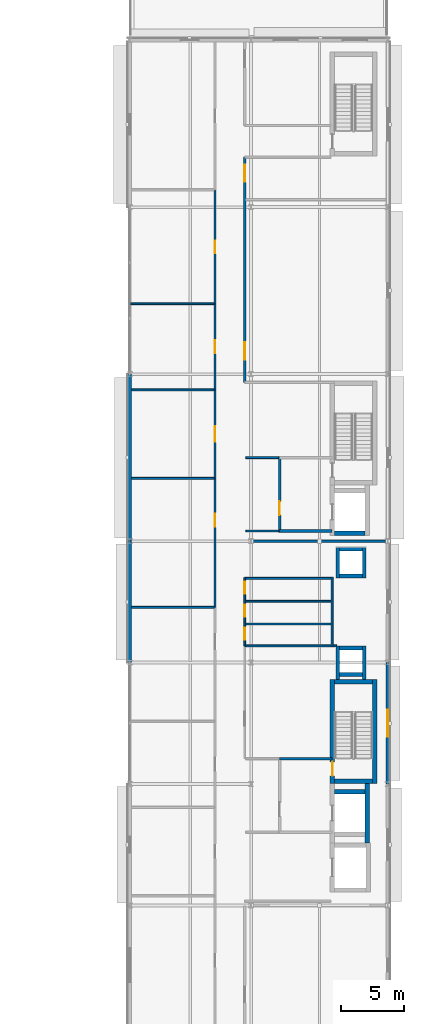
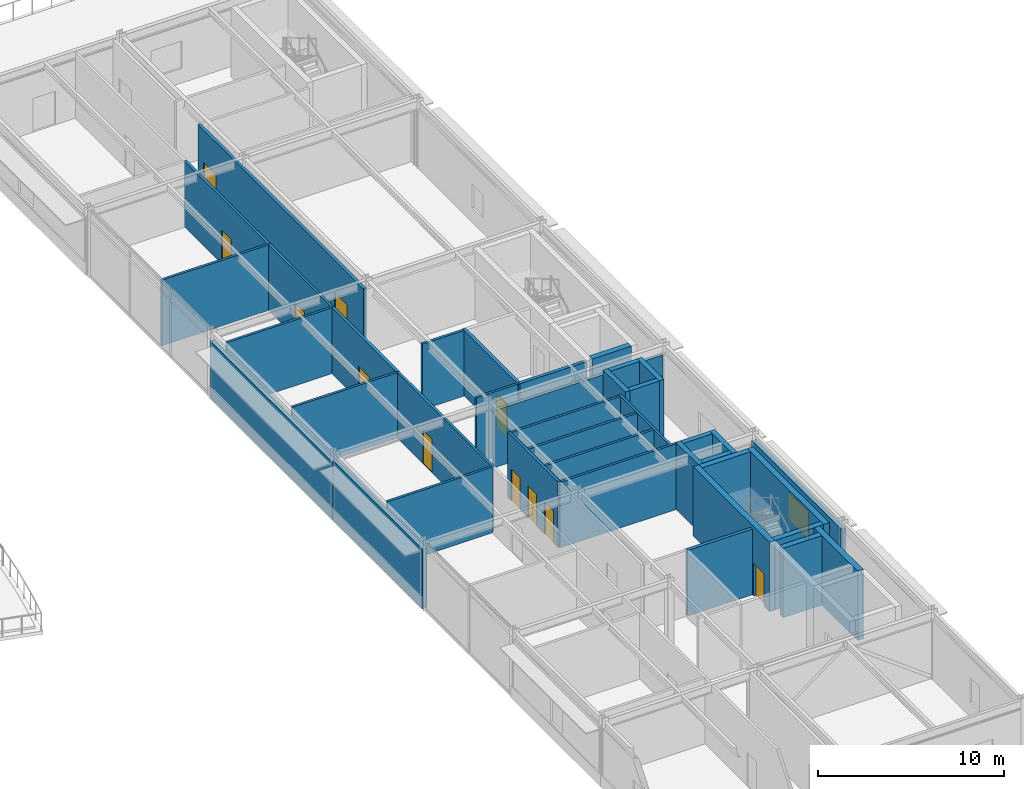
# One storey, part 67 of 89: 39 walls, 11 doors, 1 window, 12 openings.
"""IFC4 building model written with IfcOpenShell, lengths in metres."""

import ifcopenshell
import ifcopenshell.guid

model = None  # the IFC model being written
_history = None  # IfcOwnerHistory: only IFC2X3 demands one
_inside = {}  # id of a spatial element -> (the spatial element, [elements in it])
_under = {}  # id of a project, library or spatial element -> (it, [spatial elements below it])
_declared = {}  # id of a project -> (the project, [libraries it declares])
_typed = {}  # id of a type object -> (the type object, [elements of that type])
_made_of = {}  # id of a material, layer set ... -> (it, [elements and type objects made of it])


def new_model(schema):
    """Start an empty IFC model of exactly this schema.

    Asked for "IFC4X3", IfcOpenShell would pick the latest addendum, in which some entities
    have other attributes; the version numbers below select the first issue.
    IFC2X3 requires an IfcOwnerHistory on every rooted entity: one is made here for all.
    """
    global model, _history
    if schema == "IFC4X3":
        model = ifcopenshell.file(schema_version=(4, 3, 0, 0))
    else:
        model = ifcopenshell.file(schema=schema)
    _inside.clear()
    _under.clear()
    _declared.clear()
    _typed.clear()
    _made_of.clear()
    _history = None
    if model.schema == "IFC2X3":
        org = make("IfcOrganization", Name="unknown")
        user = make(
            "IfcPersonAndOrganization",
            ThePerson=make("IfcPerson", FamilyName="unknown"),
            TheOrganization=org,
        )
        app = make(
            "IfcApplication",
            ApplicationDeveloper=org,
            Version="unknown",
            ApplicationFullName="unknown",
            ApplicationIdentifier="unknown",
        )
        _history = make(
            "IfcOwnerHistory",
            OwningUser=user,
            OwningApplication=app,
            ChangeAction="ADDED",
            CreationDate=0,
        )
    return model


def make(cls, **values):
    """One entity of the class cls with the attributes given. An attribute that is None is left unset."""
    return model.create_entity(
        cls, **{name: value for name, value in values.items() if value is not None}
    )


def rooted(cls, **values):
    """An entity with a GlobalId (a new one), such as an element, a storey or a relation."""
    return make(cls, GlobalId=ifcopenshell.guid.new(), OwnerHistory=_history, **values)


def si_unit(unit_type, name, prefix=None):
    """IfcSIUnit, for example si_unit("LENGTHUNIT", "METRE", prefix="MILLI")."""
    return make("IfcSIUnit", UnitType=unit_type, Prefix=prefix, Name=name)


def assignment(units):
    """IfcUnitAssignment: the units of a project."""
    return None if units is None else make("IfcUnitAssignment", Units=units)


def point(xyz):
    """IfcCartesianPoint."""
    return None if xyz is None else make("IfcCartesianPoint", Coordinates=xyz)


def direction(xyz):
    """IfcDirection."""
    return None if xyz is None else make("IfcDirection", DirectionRatios=xyz)


def frame(location, z_axis=None, x_axis=None):
    """IfcAxis2Placement3D, a coordinate frame: its origin and axes. An axis left out is left unset."""
    return make(
        "IfcAxis2Placement3D",
        Location=point(location),
        Axis=direction(z_axis),
        RefDirection=direction(x_axis),
    )


def frame_2d(location, x_axis=None):
    """IfcAxis2Placement2D, a coordinate frame in the plane: its origin and x axis."""
    return make(
        "IfcAxis2Placement2D", Location=point(location), RefDirection=direction(x_axis)
    )


def origin():
    """The frame at (0, 0, 0) with its axes left unset."""
    return frame((0.0, 0.0, 0.0))


def place(relative_to, where):
    """IfcLocalPlacement: puts the frame where relative to a parent placement (None: the world)."""
    return make(
        "IfcLocalPlacement", PlacementRelTo=relative_to, RelativePlacement=where
    )


def context(
    kind, dimensions, precision=None, world=None, true_north=None, identifier=None
):
    """IfcGeometricRepresentationContext, for example the 3D "Model" context."""
    return make(
        "IfcGeometricRepresentationContext",
        ContextIdentifier=identifier,
        ContextType=kind,
        CoordinateSpaceDimension=dimensions,
        Precision=precision,
        WorldCoordinateSystem=world,
        TrueNorth=true_north,
    )


def subcontext(parent, identifier, kind, view, scale=None):
    """IfcGeometricRepresentationSubContext, for example "Body" below "Model"."""
    return make(
        "IfcGeometricRepresentationSubContext",
        ContextIdentifier=identifier,
        ContextType=kind,
        ParentContext=parent,
        TargetScale=scale,
        TargetView=view,
    )


def project(units=None, contexts=None):
    """IfcProject with its units and contexts."""
    return rooted(
        "IfcProject",
        Name="project",
        RepresentationContexts=contexts,
        UnitsInContext=assignment(units),
    )


def spatial(cls, under=None, at=None, **own):
    """A site, building, storey or space (cls), placed at a placement, below another one or the project."""
    s = rooted(cls, ObjectPlacement=at, **own)
    if under is not None:
        _under.setdefault(under.id(), (under, []))[1].append(s)
    return s


def profile(cls, at=None, kind="AREA", **sizes):
    """A parametric profile (cls). Its sizes go by their IFC names, for example OverallWidth=200.0."""
    return make(cls, ProfileType=kind, Position=at, **sizes)


def rectangle(**sizes):
    """IfcRectangleProfileDef."""
    return profile("IfcRectangleProfileDef", **sizes)


def extrude(swept, where, along, depth):
    """IfcExtrudedAreaSolid: the profile swept, set in the frame where, extruded along a direction by depth."""
    return make(
        "IfcExtrudedAreaSolid",
        SweptArea=swept,
        Position=where,
        ExtrudedDirection=direction(along),
        Depth=depth,
    )


def shape(context_of_items, identifier, shape_type, items):
    """IfcShapeRepresentation: the items that make up one representation, for example the "Body"."""
    return make(
        "IfcShapeRepresentation",
        ContextOfItems=context_of_items,
        RepresentationIdentifier=identifier,
        RepresentationType=shape_type,
        Items=items,
    )


def material(Name=None, Category=None):
    """IfcMaterial."""
    return make("IfcMaterial", Name=Name, Category=Category)


def layer(
    of_material, thickness, ventilated=None, Name=None, Category=None, Priority=None
):
    """IfcMaterialLayer: one layer of a wall or slab, of a material (None: an air gap)."""
    return make(
        "IfcMaterialLayer",
        Material=of_material,
        LayerThickness=thickness,
        IsVentilated=ventilated,
        Name=Name,
        Category=Category,
        Priority=Priority,
    )


def layer_set(layers, Name=None):
    """IfcMaterialLayerSet."""
    return make("IfcMaterialLayerSet", MaterialLayers=layers, LayerSetName=Name)


def made_of(thing, what):
    """Note that an element or type object is made of a material, layer set ...; save() writes the relation."""
    if what is not None:
        _made_of.setdefault(what.id(), (what, []))[1].append(thing)
    return thing


def type_object(cls, material=None, **own):
    """A type object (cls), such as IfcWallType, which elements share."""
    return made_of(rooted(cls, **own), material)


def element(
    cls,
    number,
    at=None,
    inside=None,
    cuts=None,
    type_object=None,
    material=None,
    context=None,
    identifier="Body",
    shape_type=None,
    held_by="IfcProductDefinitionShape",
    body=None,
    shapes=None,
    **own,
):
    """One element of the class cls, such as IfcWall. Its Tag is "e" and its number.

    at: its placement. inside: the storey or other place that contains it. cuts: it is an
    opening in that element (IfcRelVoidsElement). A single representation is given by context,
    identifier, shape_type and body (its items); several are given by shapes. held_by: the class
    of the entity that holds the representations. save() writes the other relations.
    """
    e = rooted(cls, Tag="e%d" % number, ObjectPlacement=at, **own)
    if body is not None:
        shapes = [shape(context, identifier, shape_type, body)]
    if shapes is not None:
        e.Representation = make(held_by, Representations=shapes)
    if inside is not None:
        _inside.setdefault(inside.id(), (inside, []))[1].append(e)
    if cuts is not None:
        rooted(
            "IfcRelVoidsElement", RelatingBuildingElement=cuts, RelatedOpeningElement=e
        )
    if type_object is not None:
        _typed.setdefault(type_object.id(), (type_object, []))[1].append(e)
    return made_of(e, material)


def fill(opening, filler):
    """IfcRelFillsElement: the door or window that sits in an opening."""
    return rooted(
        "IfcRelFillsElement",
        RelatingOpeningElement=opening,
        RelatedBuildingElement=filler,
    )


def aggregate(whole, parts):
    """IfcRelAggregates: a whole, such as a stair, and the parts it consists of."""
    return rooted("IfcRelAggregates", RelatingObject=whole, RelatedObjects=parts)


def save(model, path):
    """Write the relations noted so far, then the file.

    IfcRelAggregates (storeys below a building ...), IfcRelContainedInSpatialStructure (elements
    in a storey), IfcRelDefinesByType, IfcRelAssociatesMaterial and IfcRelDeclares: one each for
    every whole, place, type object, material and project.
    """
    for whole, parts in _under.values():
        aggregate(whole, parts)
    for where, things in _inside.values():
        rooted(
            "IfcRelContainedInSpatialStructure",
            RelatedElements=things,
            RelatingStructure=where,
        )
    for kind, things in _typed.values():
        rooted("IfcRelDefinesByType", RelatedObjects=things, RelatingType=kind)
    for what, things in _made_of.values():
        rooted("IfcRelAssociatesMaterial", RelatedObjects=things, RelatingMaterial=what)
    for by, libraries in _declared.values():
        rooted("IfcRelDeclares", RelatingContext=by, RelatedDefinitions=libraries)
    model.write(path)


model = new_model("IFC4")

# Units and contexts
model_context = context("Model", 3, precision=1e-05, world=origin(), true_north=direction((0.0, 1.0)))
body_context = subcontext(model_context, "Body", "Model", "MODEL_VIEW")
ifc_project = project(units=[si_unit("LENGTHUNIT", "METRE"), si_unit("AREAUNIT", "SQUARE_METRE"), si_unit("VOLUMEUNIT", "CUBIC_METRE"), si_unit("PLANEANGLEUNIT", "RADIAN"), si_unit("MASSUNIT", "GRAM", prefix="KILO")], contexts=[model_context])

# Site, building, storey
site_placement = place(None, origin())
site = spatial("IfcSite", under=ifc_project, at=site_placement, CompositionType="ELEMENT")
building_placement = place(site_placement, origin())
building = spatial("IfcBuilding", under=site, at=building_placement, Name="Almandine Court Research Institute", CompositionType="ELEMENT")
storey_placement = place(building_placement, frame((0.0, 0.0, 18.89990234375)))
storey = spatial("IfcBuildingStorey", under=building, at=storey_placement, Name="L04", CompositionType="ELEMENT", Elevation=18.89990234375)

# Walls
ifc_material_1 = material(Name="Insulated Ochre Terracotta Rainscreen Wall", Category="masonry")
ifc_layer_1 = layer(ifc_material_1, 0.2900390625)
ifc_layer_set_1 = layer_set([ifc_layer_1], Name="Insulated Ochre Terracotta Rainscreen Wall")
wall_type_1 = type_object("IfcWallType", Name="Wall-EXT-TERR-290", PredefinedType="SOLIDWALL", material=ifc_layer_set_1)
wall_1_placement = place(storey_placement, frame((153.60009765625, 34.803955078125, 0.0), z_axis=(0.0, 0.0, 1.0), x_axis=(0.0, 1.0, 0.0)))
element("IfcWall", 1, at=wall_1_placement, inside=storey, type_object=wall_type_1, Name="L04 Wet Lab West Facade Wall 4", PredefinedType="SOLIDWALL", context=body_context, shape_type="SweptSolid", body=[
    extrude(rectangle(XDim=9.592041015625, YDim=0.2900390625, at=frame_2d((4.7958984375, 0.0))), origin(), (0.0, 0.0, 1.0), 3.89306640625),
])
wall_2_placement = place(storey_placement, frame((153.60009765625, 44.404052734375, 0.0), z_axis=(0.0, 0.0, 1.0), x_axis=(0.0, 1.0, 0.0)))
element("IfcWall", 2, at=wall_2_placement, inside=storey, type_object=wall_type_1, Name="L04 Wet Lab West Facade Wall 5", PredefinedType="SOLIDWALL", context=body_context, shape_type="SweptSolid", body=[
    extrude(rectangle(XDim=13.19189453125, YDim=0.2900390625, at=frame_2d((6.595947265625, 0.0))), origin(), (0.0, 0.0, 1.0), 3.7421875),
])

# Wall, opening, window
wall_3_placement = place(storey_placement, frame((174.0, 34.7958984375, 0.0), z_axis=(0.0, 0.0, 1.0), x_axis=(0.0, -1.0, 0.0)))
wall_3 = element("IfcWall", 3, at=wall_3_placement, inside=storey, type_object=wall_type_1, Name="L04 Wet Lab East Facade Wall 3", PredefinedType="SOLIDWALL", context=body_context, shape_type="SweptSolid", body=[
    extrude(rectangle(XDim=9.591796875, YDim=0.2900390625, at=frame_2d((4.7958984375, 0.0))), origin(), (0.0, 0.0, 1.0), 3.884033203125),
])
opening_1_placement = place(wall_3_placement, frame((3.720947265625, 0.0, 0.949951171875)))
opening_1 = element("IfcOpeningElement", 4, at=opening_1_placement, cuts=wall_3, Name="Opening WN-10", PredefinedType="OPENING", context=body_context, shape_type="SweptSolid", body=[
    extrude(rectangle(XDim=2.14990234375, YDim=1.800048828125, at=frame_2d((1.074951171875, 0.89990234375))), frame((0.0, 0.155029296875, 0.0), z_axis=(0.0, -1.0, 0.0), x_axis=(1.0, 0.0, 0.0)), (0.0, 0.0, 1.0), 0.31005859375),
])
ifc_material_2 = material(Name="Thermally Broken Low-E Double-Glazed Window", Category="glass")
window_type = type_object("IfcWindowType", Name="Win-WN-10-2150x1800", PartitioningType="SINGLE_PANEL", PredefinedType="WINDOW", material=ifc_material_2)
window_placement = place(opening_1_placement, origin())
window = element("IfcWindow", 5, at=window_placement, inside=storey, type_object=window_type, Name="L04 Modular Recessed Low-E Window 140", OverallHeight=1.800048828125, OverallWidth=2.14990234375, PartitioningType="SINGLE_PANEL", PredefinedType="WINDOW", context=body_context, shape_type="SweptSolid", body=[
    extrude(rectangle(XDim=2.14990234375, YDim=1.800048828125, at=frame_2d((1.074951171875, 0.89990234375))), frame((0.0, 0.030029296875, 0.0), z_axis=(0.0, -1.0, 0.0), x_axis=(1.0, 0.0, 0.0)), (0.0, 0.0, 1.0), 0.06005859375),
])
fill(opening_1, window)

# Wall, opening, door
ifc_material_3 = material(Name="One-Hour Fire-Rated Laboratory Partition")
ifc_layer_2 = layer(ifc_material_3, 0.175048828125)
ifc_layer_set_2 = layer_set([ifc_layer_2], Name="One-Hour Fire-Rated Laboratory Partition")
wall_type_2 = type_object("IfcWallType", Name="Wall-FIRE-175", PredefinedType="PARTITIONING", material=ifc_layer_set_2)
wall_4_placement = place(storey_placement, frame((160.35009765625, 49.360107421875, 0.0), z_axis=(0.0, 0.0, 1.0), x_axis=(0.0, 1.0, 0.0)))
wall_4 = element("IfcWall", 6, at=wall_4_placement, inside=storey, type_object=wall_type_2, Name="L04 Interior Partition W-V4-L04-WW-5", PredefinedType="PARTITIONING", context=body_context, shape_type="SweptSolid", body=[
    extrude(rectangle(XDim=7.0, YDim=0.175048828125, at=frame_2d((3.5, 0.0))), origin(), (0.0, 0.0, 1.0), 4.300048828125),
])
opening_2_placement = place(wall_4_placement, frame((2.89990234375, 0.0, 0.0)))
opening_2 = element("IfcOpeningElement", 7, at=opening_2_placement, cuts=wall_4, Name="Opening FD-LAB", PredefinedType="OPENING", context=body_context, shape_type="SweptSolid", body=[
    extrude(rectangle(XDim=1.199951171875, YDim=2.199951171875, at=frame_2d((0.60009765625, 1.10009765625))), frame((0.0, 0.097412109375, 0.0), z_axis=(0.0, -1.0, 0.0), x_axis=(1.0, 0.0, 0.0)), (0.0, 0.0, 1.0), 0.195068359375),
])
ifc_material_4 = material(Name="Fire-Rated Laboratory Containment Door")
door_type_1 = type_object("IfcDoorType", Name="Door-FD-LAB-1200", OperationType="NOTDEFINED", PredefinedType="DOOR", material=ifc_material_4)
door_1_placement = place(opening_2_placement, origin())
door_1 = element("IfcDoor", 8, at=door_1_placement, inside=storey, type_object=door_type_1, Name="L04 Biosciences BSL-2 Laboratory Door", OperationType="SINGLE_SWING_LEFT", OverallHeight=2.199951171875, OverallWidth=1.199951171875, PredefinedType="DOOR", context=body_context, shape_type="SweptSolid", body=[
    extrude(rectangle(XDim=1.199951171875, YDim=2.199951171875, at=frame_2d((0.60009765625, 1.10009765625))), frame((0.0, 0.02490234375, 0.0), z_axis=(0.0, -1.0, 0.0), x_axis=(1.0, 0.0, 0.0)), (0.0, 0.0, 1.0), 0.050048828125),
])
fill(opening_2, door_1)

# Wall, openings, doors
wall_5_placement = place(storey_placement, frame((162.699951171875, 56.949951171875, 0.0), z_axis=(0.0, 0.0, 1.0), x_axis=(0.0, 1.0, 0.0)))
wall_5 = element("IfcWall", 9, at=wall_5_placement, inside=storey, type_object=wall_type_2, Name="L04 Interior Partition W-V4-L04-EW-N1", PredefinedType="PARTITIONING", context=body_context, shape_type="SweptSolid", body=[
    extrude(rectangle(XDim=17.800048828125, YDim=0.175048828125, at=frame_2d((8.89990234375, 0.0))), origin(), (0.0, 0.0, 1.0), 4.300048828125),
])
opening_3_placement = place(wall_5_placement, frame((1.800048828125, 0.0, 0.0)))
opening_3 = element("IfcOpeningElement", 10, at=opening_3_placement, cuts=wall_5, Name="Opening FD-LB2", PredefinedType="OPENING", context=body_context, shape_type="SweptSolid", body=[
    extrude(rectangle(XDim=1.35009765625, YDim=2.199951171875, at=frame_2d((0.675048828125, 1.10009765625))), frame((0.0, 0.097412109375, 0.0), z_axis=(0.0, -1.0, 0.0), x_axis=(1.0, 0.0, 0.0)), (0.0, 0.0, 1.0), 0.195068359375),
])
opening_4_placement = place(wall_5_placement, frame((15.844970703125, 0.0, 0.0)))
opening_4 = element("IfcOpeningElement", 11, at=opening_4_placement, cuts=wall_5, Name="Opening FD-LB2", PredefinedType="OPENING", context=body_context, shape_type="SweptSolid", body=[
    extrude(rectangle(XDim=1.35009765625, YDim=2.199951171875, at=frame_2d((0.675048828125, 1.10009765625))), frame((0.0, 0.097412109375, 0.0), z_axis=(0.0, -1.0, 0.0), x_axis=(1.0, 0.0, 0.0)), (0.0, 0.0, 1.0), 0.195068359375),
])
ifc_material_5 = material(Name="Wide Fire-Rated Cleanroom and Lab Door")
door_type_2 = type_object("IfcDoorType", Name="Door-FD-LAB-1350", OperationType="NOTDEFINED", PredefinedType="DOOR", material=ifc_material_5)
door_2_placement = place(opening_3_placement, origin())
door_2 = element("IfcDoor", 12, at=door_2_placement, inside=storey, type_object=door_type_2, Name="L04 East Wet Chemistry Lab Door", OperationType="SINGLE_SWING_LEFT", OverallHeight=2.199951171875, OverallWidth=1.35009765625, PredefinedType="DOOR", context=body_context, shape_type="SweptSolid", body=[
    extrude(rectangle(XDim=1.35009765625, YDim=2.199951171875, at=frame_2d((0.675048828125, 1.10009765625))), frame((0.0, 0.02490234375, 0.0), z_axis=(0.0, -1.0, 0.0), x_axis=(1.0, 0.0, 0.0)), (0.0, 0.0, 1.0), 0.050048828125),
])
fill(opening_3, door_2)
door_3_placement = place(opening_4_placement, origin())
door_3 = element("IfcDoor", 13, at=door_3_placement, inside=storey, type_object=door_type_2, Name="L04 East BSL-2 Lab South Door", OperationType="SINGLE_SWING_RIGHT", OverallHeight=2.199951171875, OverallWidth=1.35009765625, PredefinedType="DOOR", context=body_context, shape_type="SweptSolid", body=[
    extrude(rectangle(XDim=1.35009765625, YDim=2.199951171875, at=frame_2d((0.675048828125, 1.10009765625))), frame((0.0, 0.02490234375, 0.0), z_axis=(0.0, -1.0, 0.0), x_axis=(1.0, 0.0, 0.0)), (0.0, 0.0, 1.0), 0.050048828125),
])
fill(opening_4, door_3)

# Walls
ifc_material_6 = material(Name="Two-Hour Fire-Barrier Enclosure Wall")
ifc_layer_3 = layer(ifc_material_6, 0.199951171875)
ifc_layer_set_3 = layer_set([ifc_layer_3], Name="Two-Hour Fire-Barrier Enclosure Wall")
wall_type_3 = type_object("IfcWallType", Name="Wall-FIRE-200", PredefinedType="SOLIDWALL", material=ifc_layer_set_3)
wall_6_placement = place(storey_placement, frame((163.360107421875, 44.39990234375, 0.0), z_axis=(0.0, 0.0, 1.0), x_axis=(1.0, 0.0, 0.0)))
element("IfcWall", 14, at=wall_6_placement, inside=storey, type_object=wall_type_3, Name="L04 Interior Partition W-BF-V4-BF2-L04", PredefinedType="SOLIDWALL", context=body_context, shape_type="SweptSolid", body=[
    extrude(rectangle(XDim=10.47998046875, YDim=0.199951171875, at=frame_2d((5.239990234375, 0.0))), origin(), (0.0, 0.0, 1.0), 3.739013671875),
])
wall_7_placement = place(storey_placement, frame((165.449951171875, 27.199951171875, 0.0), z_axis=(0.0, 0.0, 1.0), x_axis=(1.0, 0.0, 0.0)))
element("IfcWall", 15, at=wall_7_placement, inside=storey, type_object=wall_type_3, Name="L04 Interior Partition W-FFL1-L04-N", PredefinedType="SOLIDWALL", context=body_context, shape_type="SweptSolid", body=[
    extrude(rectangle(XDim=4.150146484375, YDim=0.199951171875, at=frame_2d((2.0751953125, 0.0))), origin(), (0.0, 0.0, 1.0), 4.300048828125),
])

# Wall, opening, door
wall_8_placement = place(storey_placement, frame((165.449951171875, 45.10009765625, 0.0), z_axis=(0.0, 0.0, 1.0), x_axis=(0.0, 1.0, 0.0)))
wall_8 = element("IfcWall", 16, at=wall_8_placement, inside=storey, type_object=wall_type_3, Name="L04 Interior Partition W-FFL2-L04-W", PredefinedType="SOLIDWALL", context=body_context, shape_type="SweptSolid", body=[
    extrude(rectangle(XDim=6.0, YDim=0.199951171875, at=frame_2d((3.0, 0.0))), origin(), (0.0, 0.0, 1.0), 4.300048828125),
])
opening_5_placement = place(wall_8_placement, frame((1.35009765625, 0.0, 0.0)))
opening_5 = element("IfcOpeningElement", 17, at=opening_5_placement, cuts=wall_8, Name="Opening FD-FFL", PredefinedType="OPENING", context=body_context, shape_type="SweptSolid", body=[
    extrude(rectangle(XDim=1.10009765625, YDim=2.14990234375, at=frame_2d((0.550048828125, 1.074951171875))), frame((0.0, 0.10986328125, 0.0), z_axis=(0.0, -1.0, 0.0), x_axis=(1.0, 0.0, 0.0)), (0.0, 0.0, 1.0), 0.219970703125),
])
ifc_material_7 = material(Name="Smoke-Tight Firefighting Lobby Fire Door")
door_type_3 = type_object("IfcDoorType", Name="Door-FD-FFL-1100", OperationType="NOTDEFINED", PredefinedType="DOOR", material=ifc_material_7)
door_4_placement = place(opening_5_placement, origin())
door_4 = element("IfcDoor", 18, at=door_4_placement, inside=storey, type_object=door_type_3, Name="L04 Firefighting Lobby Fire Door 2", OperationType="SINGLE_SWING_RIGHT", OverallHeight=2.14990234375, OverallWidth=1.10009765625, PredefinedType="DOOR", context=body_context, shape_type="SweptSolid", body=[
    extrude(rectangle(XDim=1.10009765625, YDim=2.14990234375, at=frame_2d((0.550048828125, 1.074951171875))), frame((0.0, 0.02490234375, 0.0), z_axis=(0.0, -1.0, 0.0), x_axis=(1.0, 0.0, 0.0)), (0.0, 0.0, 1.0), 0.050048828125),
])
fill(opening_5, door_4)

# Walls
wall_9_placement = place(storey_placement, frame((165.449951171875, 45.199951171875, 0.0), z_axis=(0.0, 0.0, 1.0), x_axis=(1.0, 0.0, 0.0)))
element("IfcWall", 19, at=wall_9_placement, inside=storey, type_object=wall_type_3, Name="L04 Interior Partition W-FFL2-L04-S", PredefinedType="SOLIDWALL", context=body_context, shape_type="SweptSolid", body=[
    extrude(rectangle(XDim=4.150146484375, YDim=0.199951171875, at=frame_2d((2.0751953125, 0.0))), origin(), (0.0, 0.0, 1.0), 4.300048828125),
])
ifc_material_8 = material(Name="Acoustic Steel-Stud Gypsum Partition Wall", Category="steel")
ifc_layer_4 = layer(ifc_material_8, 0.14990234375)
ifc_layer_set_4 = layer_set([ifc_layer_4], Name="Acoustic Steel-Stud Gypsum Partition Wall")
wall_type_4 = type_object("IfcWallType", Name="Wall-PART-150", PredefinedType="PARTITIONING", material=ifc_layer_set_4)
for number, where, z_axis, x_axis, name in (
    (20, (162.699951171875, 37.85009765625, 0.0), (0.0, 0.0, 1.0), (1.0, 0.0, 0.0), "L04 Interior Partition W-V4-L04-WCH-1"),
    (21, (162.699951171875, 39.64990234375, 0.0), (0.0, 0.0, 1.0), (1.0, 0.0, 0.0), "L04 Interior Partition W-V4-L04-WCH-2"),
    (22, (162.699951171875, 41.449951171875, 0.0), (0.0, 0.0, 1.0), (1.0, 0.0, 0.0), "L04 Interior Partition W-V4-L04-WCH-3"),
):
    element("IfcWall", number, at=place(storey_placement, frame(where, z_axis=z_axis, x_axis=x_axis)), inside=storey, type_object=wall_type_4, Name=name, PredefinedType="PARTITIONING", context=body_context, shape_type="SweptSolid", body=[
        extrude(rectangle(XDim=6.900146484375, YDim=0.14990234375, at=frame_2d((3.4501953125, 0.0))), origin(), (0.0, 0.0, 1.0), 4.300048828125),
    ])
wall_10_placement = place(storey_placement, frame((162.699951171875, 36.1201171875, 0.0), z_axis=(0.0, 0.0, 1.0), x_axis=(1.0, 0.0, 0.0)))
element("IfcWall", 23, at=wall_10_placement, inside=storey, type_object=wall_type_4, Name="L04 Interior Partition W-V4-L04-WCS", PredefinedType="PARTITIONING", context=body_context, shape_type="SweptSolid", body=[
    extrude(rectangle(XDim=7.25, YDim=0.14990234375, at=frame_2d((3.625, 0.0))), origin(), (0.0, 0.0, 1.0), 4.300048828125),
])
wall_11_placement = place(storey_placement, frame((169.60009765625, 36.050048828125, 0.0), z_axis=(0.0, 0.0, 1.0), x_axis=(0.0, 1.0, 0.0)))
element("IfcWall", 24, at=wall_11_placement, inside=storey, type_object=wall_type_4, Name="L04 Interior Partition W-V4-L04-WCEAST", PredefinedType="PARTITIONING", context=body_context, shape_type="SweptSolid", body=[
    extrude(rectangle(XDim=5.5, YDim=0.14990234375, at=frame_2d((2.75, 0.0))), origin(), (0.0, 0.0, 1.0), 4.300048828125),
])

# Wall, openings, doors
wall_12_placement = place(storey_placement, frame((162.699951171875, 36.1201171875, 0.0), z_axis=(0.0, 0.0, 1.0), x_axis=(0.0, 1.0, 0.0)))
wall_12 = element("IfcWall", 25, at=wall_12_placement, inside=storey, type_object=wall_type_4, Name="L04 Interior Partition W-V4-L04-WC-ALL", PredefinedType="PARTITIONING", context=body_context, shape_type="SweptSolid", body=[
    extrude(rectangle(XDim=5.39990234375, YDim=0.14990234375, at=frame_2d((2.699951171875, 0.0))), origin(), (0.0, 0.0, 1.0), 4.300048828125),
])
opening_6_placement = place(wall_12_placement, frame((0.47998046875, 0.0, 0.0)))
opening_6 = element("IfcOpeningElement", 26, at=opening_6_placement, cuts=wall_12, Name="Opening D-01", PredefinedType="OPENING", context=body_context, shape_type="SweptSolid", body=[
    extrude(rectangle(XDim=0.949951171875, YDim=2.10009765625, at=frame_2d((0.47509765625, 1.050048828125))), frame((0.0, 0.0849609375, 0.0), z_axis=(0.0, -1.0, 0.0), x_axis=(1.0, 0.0, 0.0)), (0.0, 0.0, 1.0), 0.169921875),
])
opening_7_placement = place(wall_12_placement, frame((2.300048828125, 0.0, 0.0)))
opening_7 = element("IfcOpeningElement", 27, at=opening_7_placement, cuts=wall_12, Name="Opening D-01", PredefinedType="OPENING", context=body_context, shape_type="SweptSolid", body=[
    extrude(rectangle(XDim=0.949951171875, YDim=2.10009765625, at=frame_2d((0.47509765625, 1.050048828125))), frame((0.0, 0.0849609375, 0.0), z_axis=(0.0, -1.0, 0.0), x_axis=(1.0, 0.0, 0.0)), (0.0, 0.0, 1.0), 0.169921875),
])
opening_8_placement = place(wall_12_placement, frame((4.10009765625, 0.0, 0.0)))
opening_8 = element("IfcOpeningElement", 28, at=opening_8_placement, cuts=wall_12, Name="Opening D-01", PredefinedType="OPENING", context=body_context, shape_type="SweptSolid", body=[
    extrude(rectangle(XDim=0.949951171875, YDim=2.10009765625, at=frame_2d((0.47509765625, 1.050048828125))), frame((0.0, 0.0849609375, 0.0), z_axis=(0.0, -1.0, 0.0), x_axis=(1.0, 0.0, 0.0)), (0.0, 0.0, 1.0), 0.169921875),
])
ifc_material_9 = material(Name="Solid-Core Timber Acoustic Room Door", Category="wood")
door_type_4 = type_object("IfcDoorType", Name="Door-INT-950", OperationType="NOTDEFINED", PredefinedType="DOOR", material=ifc_material_9)
door_5_placement = place(opening_6_placement, origin())
door_5 = element("IfcDoor", 29, at=door_5_placement, inside=storey, type_object=door_type_4, Name="L04 V4 Male Toilet Door", OperationType="SINGLE_SWING_LEFT", OverallHeight=2.10009765625, OverallWidth=0.949951171875, PredefinedType="DOOR", context=body_context, shape_type="SweptSolid", body=[
    extrude(rectangle(XDim=0.949951171875, YDim=2.10009765625, at=frame_2d((0.47509765625, 1.050048828125))), frame((0.0, 0.02490234375, 0.0), z_axis=(0.0, -1.0, 0.0), x_axis=(1.0, 0.0, 0.0)), (0.0, 0.0, 1.0), 0.050048828125),
])
fill(opening_6, door_5)
door_6_placement = place(opening_7_placement, origin())
door_6 = element("IfcDoor", 30, at=door_6_placement, inside=storey, type_object=door_type_4, Name="L04 V4 Female Toilet Door", OperationType="SINGLE_SWING_RIGHT", OverallHeight=2.10009765625, OverallWidth=0.949951171875, PredefinedType="DOOR", context=body_context, shape_type="SweptSolid", body=[
    extrude(rectangle(XDim=0.949951171875, YDim=2.10009765625, at=frame_2d((0.47509765625, 1.050048828125))), frame((0.0, 0.02490234375, 0.0), z_axis=(0.0, -1.0, 0.0), x_axis=(1.0, 0.0, 0.0)), (0.0, 0.0, 1.0), 0.050048828125),
])
fill(opening_7, door_6)
door_7_placement = place(opening_8_placement, origin())
door_7 = element("IfcDoor", 31, at=door_7_placement, inside=storey, type_object=door_type_4, Name="L04 V4 Accessible WC Door", OperationType="SINGLE_SWING_LEFT", OverallHeight=2.10009765625, OverallWidth=0.949951171875, PredefinedType="DOOR", context=body_context, shape_type="SweptSolid", body=[
    extrude(rectangle(XDim=0.949951171875, YDim=2.10009765625, at=frame_2d((0.47509765625, 1.050048828125))), frame((0.0, 0.02490234375, 0.0), z_axis=(0.0, -1.0, 0.0), x_axis=(1.0, 0.0, 0.0)), (0.0, 0.0, 1.0), 0.050048828125),
])
fill(opening_8, door_7)

# Wall
wall_13_placement = place(storey_placement, frame((153.760009765625, 39.159912109375, 0.0), z_axis=(0.0, 0.0, 1.0), x_axis=(1.0, 0.0, 0.0)))
element("IfcWall", 32, at=wall_13_placement, inside=storey, type_object=wall_type_4, Name="L04 Interior Partition W-V4-L04-WDIV-3", PredefinedType="PARTITIONING", context=body_context, shape_type="SweptSolid", body=[
    extrude(rectangle(XDim=6.510009765625, YDim=0.14990234375, at=frame_2d((3.2548828125, 0.0))), origin(), (0.0, 0.0, 1.0), 4.300048828125),
])

# Wall, opening, door
wall_14_placement = place(storey_placement, frame((160.35009765625, 39.159912109375, 0.0), z_axis=(0.0, 0.0, 1.0), x_axis=(0.0, 1.0, 0.0)))
wall_14 = element("IfcWall", 33, at=wall_14_placement, inside=storey, type_object=wall_type_4, Name="L04 Interior Partition W-V4-L04-WW-4", PredefinedType="PARTITIONING", context=body_context, shape_type="SweptSolid", body=[
    extrude(rectangle(XDim=10.2001953125, YDim=0.14990234375, at=frame_2d((5.10009765625, 0.0))), origin(), (0.0, 0.0, 1.0), 4.300048828125),
])
opening_9_placement = place(wall_14_placement, frame((6.389892578125, 0.0, 0.0)))
opening_9 = element("IfcOpeningElement", 34, at=opening_9_placement, cuts=wall_14, Name="Opening D-02", PredefinedType="OPENING", context=body_context, shape_type="SweptSolid", body=[
    extrude(rectangle(XDim=1.0, YDim=2.199951171875, at=frame_2d((0.5, 1.10009765625))), frame((0.0, 0.0849609375, 0.0), z_axis=(0.0, -1.0, 0.0), x_axis=(1.0, 0.0, 0.0)), (0.0, 0.0, 1.0), 0.169921875),
])
ifc_material_10 = material(Name="Solid-Core Timber Researcher Office Door", Category="wood")
door_type_5 = type_object("IfcDoorType", Name="Door-INT-1000", OperationType="NOTDEFINED", PredefinedType="DOOR", material=ifc_material_10)
door_8_placement = place(opening_9_placement, origin())
door_8 = element("IfcDoor", 35, at=door_8_placement, inside=storey, type_object=door_type_5, Name="L04 Faculty Study Door", OperationType="SINGLE_SWING_RIGHT", OverallHeight=2.199951171875, OverallWidth=1.0, PredefinedType="DOOR", context=body_context, shape_type="SweptSolid", body=[
    extrude(rectangle(XDim=1.0, YDim=2.199951171875, at=frame_2d((0.5, 1.10009765625))), frame((0.0, 0.02490234375, 0.0), z_axis=(0.0, -1.0, 0.0), x_axis=(1.0, 0.0, 0.0)), (0.0, 0.0, 1.0), 0.050048828125),
])
fill(opening_9, door_8)

# Walls
for number, where, z_axis, x_axis, name in (
    (36, (153.760009765625, 49.360107421875, 0.0), (0.0, 0.0, 1.0), (1.0, 0.0, 0.0), "L04 Interior Partition W-V4-L04-WDIV-4"),
    (37, (153.760009765625, 56.360107421875, 0.0), (0.0, 0.0, 1.0), (1.0, 0.0, 0.0), "L04 Interior Partition W-V4-L04-WDIV-5"),
):
    element("IfcWall", number, at=place(storey_placement, frame(where, z_axis=z_axis, x_axis=x_axis)), inside=storey, type_object=wall_type_4, Name=name, PredefinedType="PARTITIONING", context=body_context, shape_type="SweptSolid", body=[
        extrude(rectangle(XDim=6.510009765625, YDim=0.14990234375, at=frame_2d((3.2548828125, 0.0))), origin(), (0.0, 0.0, 1.0), 4.300048828125),
    ])

# Wall, opening, door
wall_15_placement = place(storey_placement, frame((160.35009765625, 56.360107421875, 0.0), z_axis=(0.0, 0.0, 1.0), x_axis=(0.0, 1.0, 0.0)))
wall_15 = element("IfcWall", 38, at=wall_15_placement, inside=storey, type_object=wall_type_4, Name="L04 Interior Partition W-V4-L04-WW-6", PredefinedType="PARTITIONING", context=body_context, shape_type="SweptSolid", body=[
    extrude(rectangle(XDim=6.7998046875, YDim=0.14990234375, at=frame_2d((3.39990234375, 0.0))), origin(), (0.0, 0.0, 1.0), 4.300048828125),
])
opening_10_placement = place(wall_15_placement, frame((2.89990234375, 0.0, 0.0)))
opening_10 = element("IfcOpeningElement", 39, at=opening_10_placement, cuts=wall_15, Name="Opening D-02", PredefinedType="OPENING", context=body_context, shape_type="SweptSolid", body=[
    extrude(rectangle(XDim=1.0, YDim=2.199951171875, at=frame_2d((0.5, 1.10009765625))), frame((0.0, 0.0849609375, 0.0), z_axis=(0.0, -1.0, 0.0), x_axis=(1.0, 0.0, 0.0)), (0.0, 0.0, 1.0), 0.169921875),
])
door_9_placement = place(opening_10_placement, origin())
door_9 = element("IfcDoor", 40, at=door_9_placement, inside=storey, type_object=door_type_5, Name="L04 Seminar Room Door", OperationType="SINGLE_SWING_RIGHT", OverallHeight=2.199951171875, OverallWidth=1.0, PredefinedType="DOOR", context=body_context, shape_type="SweptSolid", body=[
    extrude(rectangle(XDim=1.0, YDim=2.199951171875, at=frame_2d((0.5, 1.10009765625))), frame((0.0, 0.02490234375, 0.0), z_axis=(0.0, -1.0, 0.0), x_axis=(1.0, 0.0, 0.0)), (0.0, 0.0, 1.0), 0.050048828125),
])
fill(opening_10, door_9)

# Wall
wall_16_placement = place(storey_placement, frame((153.659912109375, 63.159912109375, 0.0), z_axis=(0.0, 0.0, 1.0), x_axis=(1.0, 0.0, 0.0)))
element("IfcWall", 41, at=wall_16_placement, inside=storey, type_object=wall_type_4, Name="L04 Interior Partition W-V4-L04-WDIV-6", PredefinedType="PARTITIONING", context=body_context, shape_type="SweptSolid", body=[
    extrude(rectangle(XDim=6.610107421875, YDim=0.14990234375, at=frame_2d((3.30517578125, 0.0))), origin(), (0.0, 0.0, 1.0), 4.300048828125),
])

# Wall, opening, door
wall_17_placement = place(storey_placement, frame((160.35009765625, 63.159912109375, 0.0), z_axis=(0.0, 0.0, 1.0), x_axis=(0.0, 1.0, 0.0)))
wall_17 = element("IfcWall", 42, at=wall_17_placement, inside=storey, type_object=wall_type_4, Name="L04 Interior Partition W-V4-L04-WW-7", PredefinedType="PARTITIONING", context=body_context, shape_type="SweptSolid", body=[
    extrude(rectangle(XDim=9.0, YDim=0.14990234375, at=frame_2d((4.5, 0.0))), origin(), (0.0, 0.0, 1.0), 4.300048828125),
])
opening_11_placement = place(wall_17_placement, frame((4.0, 0.0, 0.0)))
opening_11 = element("IfcOpeningElement", 43, at=opening_11_placement, cuts=wall_17, Name="Opening D-02", PredefinedType="OPENING", context=body_context, shape_type="SweptSolid", body=[
    extrude(rectangle(XDim=1.0, YDim=2.199951171875, at=frame_2d((0.5, 1.10009765625))), frame((0.0, 0.0849609375, 0.0), z_axis=(0.0, -1.0, 0.0), x_axis=(1.0, 0.0, 0.0)), (0.0, 0.0, 1.0), 0.169921875),
])
door_10_placement = place(opening_11_placement, origin())
door_10 = element("IfcDoor", 44, at=door_10_placement, inside=storey, type_object=door_type_5, Name="L04 Instrument Room Door", OperationType="SINGLE_SWING_LEFT", OverallHeight=2.199951171875, OverallWidth=1.0, PredefinedType="DOOR", context=body_context, shape_type="SweptSolid", body=[
    extrude(rectangle(XDim=1.0, YDim=2.199951171875, at=frame_2d((0.5, 1.10009765625))), frame((0.0, 0.02490234375, 0.0), z_axis=(0.0, -1.0, 0.0), x_axis=(1.0, 0.0, 0.0)), (0.0, 0.0, 1.0), 0.050048828125),
])
fill(opening_11, door_10)

# Walls
for number, where, z_axis, x_axis, name in (
    (45, (162.780029296875, 45.199951171875, 0.0), (0.0, 0.0, 1.0), (1.0, 0.0, 0.0), "L04 Interior Partition W-V4-L04-FFL2-CS"),
    (46, (162.780029296875, 51.0, 0.0), (0.0, 0.0, 1.0), (1.0, 0.0, 0.0), "L04 Interior Partition W-V4-L04-FFL2-CN"),
):
    element("IfcWall", number, at=place(storey_placement, frame(where, z_axis=z_axis, x_axis=x_axis)), inside=storey, type_object=wall_type_4, Name=name, PredefinedType="PARTITIONING", context=body_context, shape_type="SweptSolid", body=[
        extrude(rectangle(XDim=2.570068359375, YDim=0.14990234375, at=frame_2d((1.28515625, 0.0))), origin(), (0.0, 0.0, 1.0), 4.300048828125),
    ])
ifc_material_11 = material(Name="Concrete C40/50", Category="concrete")
ifc_layer_5 = layer(ifc_material_11, 0.300048828125)
ifc_layer_set_5 = layer_set([ifc_layer_5], Name="Concrete C40/50")
wall_type_5 = type_object("IfcWallType", Name="Wall-SW-CORE-300", PredefinedType="SHEAR", material=ifc_layer_set_5)
wall_18_placement = place(storey_placement, frame((170.050048828125, 33.449951171875, 0.0), z_axis=(0.0, 0.0, 1.0), x_axis=(0.0, 1.0, 0.0)))
element("IfcWall", 47, at=wall_18_placement, inside=storey, type_object=wall_type_5, Name="L04 MEP Riser RS-V4A W Shear Wall", PredefinedType="SHEAR", context=body_context, shape_type="SweptSolid", body=[
    extrude(rectangle(XDim=2.650146484375, YDim=0.300048828125, at=frame_2d((1.3251953125, 0.0))), origin(), (0.0, 0.0, 1.0), 4.3701171875),
])
wall_19_placement = place(storey_placement, frame((170.199951171875, 35.949951171875, 0.0), z_axis=(0.0, 0.0, 1.0), x_axis=(1.0, 0.0, 0.0)))
element("IfcWall", 48, at=wall_19_placement, inside=storey, type_object=wall_type_5, Name="L04 MEP Riser RS-V4A N Shear Wall", PredefinedType="SHEAR", context=body_context, shape_type="SweptSolid", body=[
    extrude(rectangle(XDim=1.800048828125, YDim=0.300048828125, at=frame_2d((0.89990234375, 0.0))), origin(), (0.0, 0.0, 1.0), 4.3701171875),
])
wall_20_placement = place(storey_placement, frame((172.14990234375, 36.10009765625, 0.0), z_axis=(0.0, 0.0, 1.0), x_axis=(0.0, -1.0, 0.0)))
element("IfcWall", 49, at=wall_20_placement, inside=storey, type_object=wall_type_5, Name="L04 MEP Riser RS-V4A E Shear Wall", PredefinedType="SHEAR", context=body_context, shape_type="SweptSolid", body=[
    extrude(rectangle(XDim=2.650146484375, YDim=0.300048828125, at=frame_2d((1.3251953125, 0.0))), origin(), (0.0, 0.0, 1.0), 4.3701171875),
])
wall_21_placement = place(storey_placement, frame((172.0, 33.85009765625, 0.0), z_axis=(0.0, 0.0, 1.0), x_axis=(-1.0, 0.0, 0.0)))
element("IfcWall", 50, at=wall_21_placement, inside=storey, type_object=wall_type_5, Name="L04 MEP Riser RS-V4A S Shear Wall", PredefinedType="SHEAR", context=body_context, shape_type="SweptSolid", body=[
    extrude(rectangle(XDim=1.800048828125, YDim=0.300048828125, at=frame_2d((0.89990234375, 0.0))), origin(), (0.0, 0.0, 1.0), 4.3701171875),
])
wall_22_placement = place(storey_placement, frame((170.050048828125, 41.5, 0.0), z_axis=(0.0, 0.0, 1.0), x_axis=(0.0, 1.0, 0.0)))
element("IfcWall", 51, at=wall_22_placement, inside=storey, type_object=wall_type_5, Name="L04 MEP Riser RS-V4B W Shear Wall", PredefinedType="SHEAR", context=body_context, shape_type="SweptSolid", body=[
    extrude(rectangle(XDim=2.39990234375, YDim=0.300048828125, at=frame_2d((1.199951171875, 0.0))), origin(), (0.0, 0.0, 1.0), 4.3701171875),
])
wall_23_placement = place(storey_placement, frame((170.199951171875, 43.75, 0.0), z_axis=(0.0, 0.0, 1.0), x_axis=(1.0, 0.0, 0.0)))
element("IfcWall", 52, at=wall_23_placement, inside=storey, type_object=wall_type_5, Name="L04 MEP Riser RS-V4B N Shear Wall", PredefinedType="SHEAR", context=body_context, shape_type="SweptSolid", body=[
    extrude(rectangle(XDim=1.800048828125, YDim=0.300048828125, at=frame_2d((0.89990234375, 0.0))), origin(), (0.0, 0.0, 1.0), 4.3701171875),
])
wall_24_placement = place(storey_placement, frame((172.14990234375, 43.89990234375, 0.0), z_axis=(0.0, 0.0, 1.0), x_axis=(0.0, -1.0, 0.0)))
element("IfcWall", 53, at=wall_24_placement, inside=storey, type_object=wall_type_5, Name="L04 MEP Riser RS-V4B E Shear Wall", PredefinedType="SHEAR", context=body_context, shape_type="SweptSolid", body=[
    extrude(rectangle(XDim=2.39990234375, YDim=0.300048828125, at=frame_2d((1.199951171875, 0.0))), origin(), (0.0, 0.0, 1.0), 4.3701171875),
])
wall_25_placement = place(storey_placement, frame((172.0, 41.64990234375, 0.0), z_axis=(0.0, 0.0, 1.0), x_axis=(-1.0, 0.0, 0.0)))
element("IfcWall", 54, at=wall_25_placement, inside=storey, type_object=wall_type_5, Name="L04 MEP Riser RS-V4B S Shear Wall", PredefinedType="SHEAR", context=body_context, shape_type="SweptSolid", body=[
    extrude(rectangle(XDim=1.800048828125, YDim=0.300048828125, at=frame_2d((0.89990234375, 0.0))), origin(), (0.0, 0.0, 1.0), 4.3701171875),
])

# Wall, opening, door
ifc_layer_6 = layer(ifc_material_11, 0.35009765625)
ifc_layer_set_6 = layer_set([ifc_layer_6], Name="Concrete C40/50")
wall_type_6 = type_object("IfcWallType", Name="Wall-SW-CORE-350", PredefinedType="SHEAR", material=ifc_layer_set_6)
wall_26_placement = place(storey_placement, frame((169.625, 25.25, 0.0), z_axis=(0.0, 0.0, 1.0), x_axis=(0.0, 1.0, 0.0)))
wall_26 = element("IfcWall", 55, at=wall_26_placement, inside=storey, type_object=wall_type_6, Name="L04 ST-07 W Shear Wall", PredefinedType="SHEAR", context=body_context, shape_type="SweptSolid", body=[
    extrude(rectangle(XDim=8.199951171875, YDim=0.35009765625, at=frame_2d((4.10009765625, 0.0))), origin(), (0.0, 0.0, 1.0), 4.550048828125),
])
opening_12_placement = place(wall_26_placement, frame((0.60009765625, 0.0, 0.0)))
opening_12 = element("IfcOpeningElement", 56, at=opening_12_placement, cuts=wall_26, Name="Opening FD-STAIR", PredefinedType="OPENING", context=body_context, shape_type="SweptSolid", body=[
    extrude(rectangle(XDim=1.10009765625, YDim=2.14990234375, at=frame_2d((0.550048828125, 1.074951171875))), frame((0.0, 0.18505859375, 0.0), z_axis=(0.0, -1.0, 0.0), x_axis=(1.0, 0.0, 0.0)), (0.0, 0.0, 1.0), 0.3701171875),
])
ifc_material_12 = material(Name="Self-Closing Steel Exit Stair Fire Door", Category="steel")
door_type_6 = type_object("IfcDoorType", Name="Door-FD-STAIR-1100", OperationType="NOTDEFINED", PredefinedType="DOOR", material=ifc_material_12)
door_11_placement = place(opening_12_placement, origin())
door_11 = element("IfcDoor", 57, at=door_11_placement, inside=storey, type_object=door_type_6, Name="L04 Exit Stair ST-07 Fire Door", OperationType="SINGLE_SWING_LEFT", OverallHeight=2.14990234375, OverallWidth=1.10009765625, PredefinedType="DOOR", context=body_context, shape_type="SweptSolid", body=[
    extrude(rectangle(XDim=1.10009765625, YDim=2.14990234375, at=frame_2d((0.550048828125, 1.074951171875))), frame((0.0, 0.02490234375, 0.0), z_axis=(0.0, -1.0, 0.0), x_axis=(1.0, 0.0, 0.0)), (0.0, 0.0, 1.0), 0.050048828125),
])
fill(opening_12, door_11)

# Walls
wall_27_placement = place(storey_placement, frame((169.800048828125, 33.27490234375, 0.0), z_axis=(0.0, 0.0, 1.0), x_axis=(1.0, 0.0, 0.0)))
element("IfcWall", 58, at=wall_27_placement, inside=storey, type_object=wall_type_6, Name="L04 ST-07 N Shear Wall", PredefinedType="SHEAR", context=body_context, shape_type="SweptSolid", body=[
    extrude(rectangle(XDim=3.0, YDim=0.35009765625, at=frame_2d((1.5, 0.0))), origin(), (0.0, 0.0, 1.0), 4.550048828125),
])
wall_28_placement = place(storey_placement, frame((172.97509765625, 33.449951171875, 0.0), z_axis=(0.0, 0.0, 1.0), x_axis=(0.0, -1.0, 0.0)))
element("IfcWall", 59, at=wall_28_placement, inside=storey, type_object=wall_type_6, Name="L04 ST-07 E Shear Wall", PredefinedType="SHEAR", context=body_context, shape_type="SweptSolid", body=[
    extrude(rectangle(XDim=8.199951171875, YDim=0.35009765625, at=frame_2d((4.10009765625, 0.0))), origin(), (0.0, 0.0, 1.0), 4.550048828125),
])
wall_29_placement = place(storey_placement, frame((172.800048828125, 25.425048828125, 0.0), z_axis=(0.0, 0.0, 1.0), x_axis=(-1.0, 0.0, 0.0)))
element("IfcWall", 60, at=wall_29_placement, inside=storey, type_object=wall_type_6, Name="L04 ST-07 S Shear Wall", PredefinedType="SHEAR", context=body_context, shape_type="SweptSolid", body=[
    extrude(rectangle(XDim=3.0, YDim=0.35009765625, at=frame_2d((1.5, 0.0))), origin(), (0.0, 0.0, 1.0), 4.550048828125),
])
wall_30_placement = place(storey_placement, frame((169.800048828125, 24.574951171875, 0.0), z_axis=(0.0, 0.0, 1.0), x_axis=(1.0, 0.0, 0.0)))
element("IfcWall", 61, at=wall_30_placement, inside=storey, type_object=wall_type_6, Name="L04 FL-01 Hoistway N Shear Wall", PredefinedType="SHEAR", context=body_context, shape_type="SweptSolid", body=[
    extrude(rectangle(XDim=2.39990234375, YDim=0.35009765625, at=frame_2d((1.199951171875, 0.0))), origin(), (0.0, 0.0, 1.0), 4.550048828125),
])
wall_31_placement = place(storey_placement, frame((172.375, 25.25, 0.0), z_axis=(0.0, 0.0, 1.0), x_axis=(0.0, -1.0, 0.0)))
element("IfcWall", 62, at=wall_31_placement, inside=storey, type_object=wall_type_6, Name="L04 FL-01 Hoistway E Shear Wall", PredefinedType="SHEAR", context=body_context, shape_type="SweptSolid", body=[
    extrude(rectangle(XDim=4.699951171875, YDim=0.35009765625, at=frame_2d((2.35009765625, 0.0))), origin(), (0.0, 0.0, 1.0), 4.550048828125),
])
wall_32_placement = place(storey_placement, frame((172.199951171875, 45.02490234375, 0.0), z_axis=(0.0, 0.0, 1.0), x_axis=(-1.0, 0.0, 0.0)))
element("IfcWall", 63, at=wall_32_placement, inside=storey, type_object=wall_type_6, Name="L04 FL-02 Hoistway S Shear Wall", PredefinedType="SHEAR", context=body_context, shape_type="SweptSolid", body=[
    extrude(rectangle(XDim=2.39990234375, YDim=0.35009765625, at=frame_2d((1.199951171875, 0.0))), origin(), (0.0, 0.0, 1.0), 4.550048828125),
])

save(model, "model.ifc")
